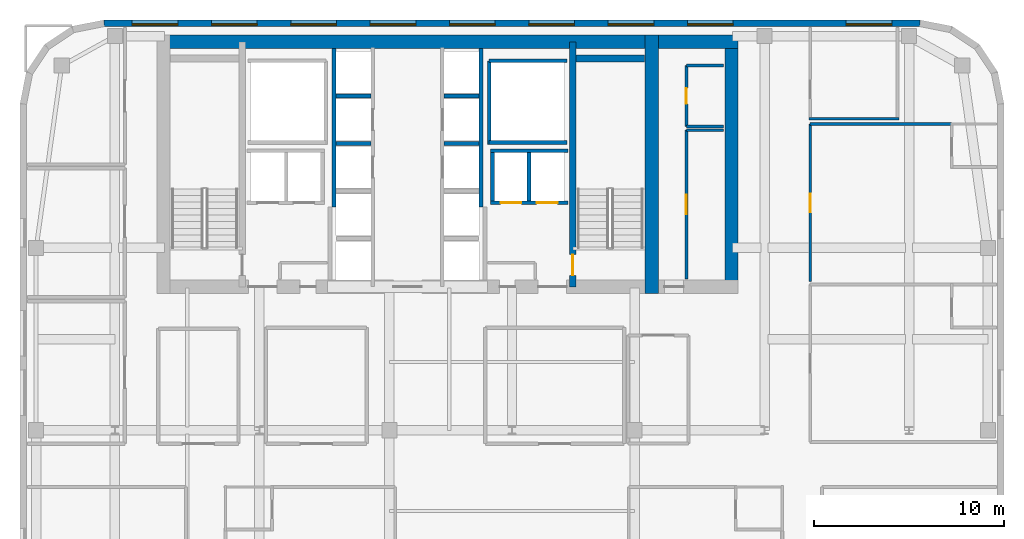
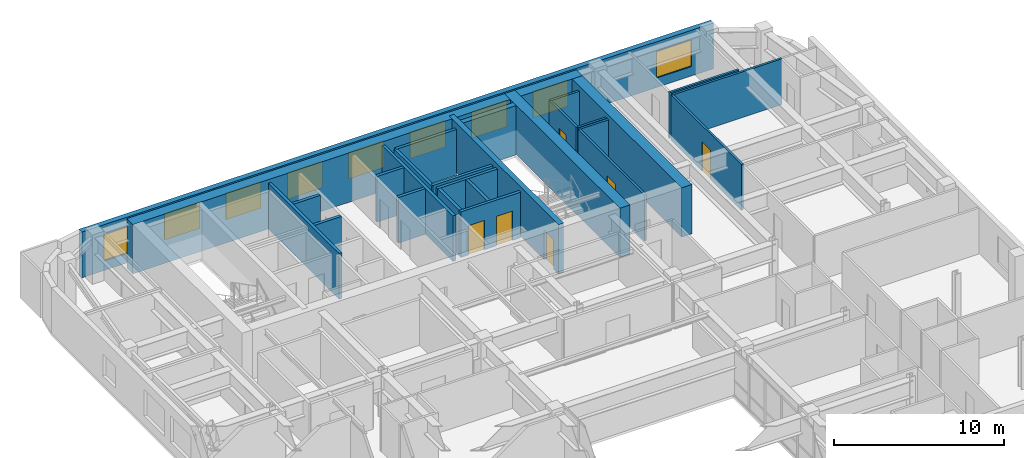
# One storey, part 11 of 13: 28 walls, 9 windows, 6 doors, 15 openings.
"""IFC4 building model written with IfcOpenShell, lengths in metres."""

from ifc_helpers import new_model, si_unit, direction, frame, frame_2d, origin, place, context, subcontext, project, spatial, rectangle, extrude, source, transform, mapped, material, layer, layer_set, type_object, type_shapes, element, fill, save


model = new_model("IFC4")

# Units and contexts
model_context = context("Model", 3, precision=1e-05, world=origin(), true_north=direction((0.0, 1.0)))
body_context = subcontext(model_context, "Body", "Model", "MODEL_VIEW")
ifc_project = project(units=[si_unit("LENGTHUNIT", "METRE"), si_unit("AREAUNIT", "SQUARE_METRE"), si_unit("VOLUMEUNIT", "CUBIC_METRE"), si_unit("PLANEANGLEUNIT", "RADIAN"), si_unit("MASSUNIT", "GRAM", prefix="KILO")], contexts=[model_context])

# Site, building, storey
site_placement = place(None, origin())
site = spatial("IfcSite", under=ifc_project, at=site_placement, CompositionType="ELEMENT")
building_placement = place(site_placement, origin())
building = spatial("IfcBuilding", under=site, at=building_placement, Name="Tolvann Quenvar Hotel", CompositionType="ELEMENT")
storey_placement = place(building_placement, frame((0.0, 0.0, 201.75)))
storey = spatial("IfcBuildingStorey", under=building, at=storey_placement, Name="L53", CompositionType="ELEMENT", Elevation=201.75)

# Walls
ifc_material_1 = material(Name="Concrete S65 (65 MPa)", Category="concrete")
ifc_layer_1 = layer(ifc_material_1, 0.699951171875)
ifc_layer_set_1 = layer_set([ifc_layer_1], Name="Concrete S65 (65 MPa)")
wall_type_1 = type_object("IfcWallType", Name="WALL_CORE_700", PredefinedType="SHEAR", material=ifc_layer_set_1)
wall_1_placement = place(storey_placement, frame((9.800048828125, 44.85009765625, 0.0), z_axis=(0.0, 0.0, 1.0), x_axis=(1.0, 0.0, 0.0)))
element("IfcWall", 1, at=wall_1_placement, inside=storey, type_object=wall_type_1, Name="Rear Core N Shear Wall (L53)", PredefinedType="SHEAR", context=body_context, shape_type="SweptSolid", body=[
    extrude(rectangle(XDim=26.39990234375, YDim=0.699951171875, at=frame_2d((13.199951171875, 0.0))), origin(), (0.0, 0.0, 1.0), 3.550048828125),
])
wall_2_placement = place(storey_placement, frame((35.85009765625, 31.60009765625, 0.0), z_axis=(0.0, 0.0, 1.0), x_axis=(0.0, 1.0, 0.0)))
element("IfcWall", 2, at=wall_2_placement, inside=storey, type_object=wall_type_1, Name="Rear Core E Shear Wall (L53)", PredefinedType="SHEAR", context=body_context, shape_type="SweptSolid", body=[
    extrude(rectangle(XDim=13.599853515625, YDim=0.699951171875, at=frame_2d((6.7998046875, 0.0))), origin(), (0.0, 0.0, 1.0), 3.550048828125),
])
wall_3_placement = place(storey_placement, frame((36.199951171875, 44.85009765625, 0.0), z_axis=(0.0, 0.0, 1.0), x_axis=(1.0, 0.0, 0.0)))
element("IfcWall", 3, at=wall_3_placement, inside=storey, type_object=wall_type_1, Name="Core East Annex Shear Wall ANN-N (L53)", PredefinedType="SHEAR", context=body_context, shape_type="SweptSolid", body=[
    extrude(rectangle(XDim=4.199951171875, YDim=0.699951171875, at=frame_2d((2.10009765625, 0.0))), origin(), (0.0, 0.0, 1.0), 3.550048828125),
])
wall_4_placement = place(storey_placement, frame((40.050048828125, 31.60009765625, 0.0), z_axis=(0.0, 0.0, 1.0), x_axis=(0.0, 1.0, 0.0)))
element("IfcWall", 4, at=wall_4_placement, inside=storey, type_object=wall_type_1, Name="Core East Annex Shear Wall ANN-E (L53)", PredefinedType="SHEAR", context=body_context, shape_type="SweptSolid", body=[
    extrude(rectangle(XDim=13.599853515625, YDim=0.699951171875, at=frame_2d((6.7998046875, 0.0))), origin(), (0.0, 0.0, 1.0), 3.550048828125),
])

# Wall, opening, door
ifc_layer_2 = layer(ifc_material_1, 0.35009765625)
ifc_layer_set_2 = layer_set([ifc_layer_2], Name="Concrete S65 (65 MPa)")
wall_type_2 = type_object("IfcWallType", Name="WALL_CORE_INT_350", PredefinedType="SHEAR", material=ifc_layer_set_2)
wall_5_placement = place(storey_placement, frame((31.699951171875, 31.949951171875, 0.0), z_axis=(0.0, 0.0, 1.0), x_axis=(0.0, 1.0, 0.0)))
wall_5 = element("IfcWall", 5, at=wall_5_placement, inside=storey, type_object=wall_type_2, Name="Core Internal Web Shear Wall WEB-E (L53)", PredefinedType="SHEAR", context=body_context, shape_type="SweptSolid", body=[
    extrude(rectangle(XDim=12.900146484375, YDim=0.35009765625, at=frame_2d((6.4501953125, 0.0))), origin(), (0.0, 0.0, 1.0), 3.550048828125),
])
opening_1_placement = place(wall_5_placement, frame((1.7001953125, 0.0, 0.0), z_axis=(0.0, 0.0, 1.0), x_axis=(-1.0, 0.0, 0.0)))
opening_1 = element("IfcOpeningElement", 6, at=opening_1_placement, cuts=wall_5, Name="Opening FD-120", PredefinedType="OPENING", context=body_context, shape_type="SweptSolid", body=[
    extrude(rectangle(XDim=1.10009765625, YDim=2.1201171875, at=frame_2d((0.550048828125, 1.06005859375))), frame((0.0, 0.18505859375, 0.0), z_axis=(0.0, -1.0, 0.0), x_axis=(1.0, 0.0, 0.0)), (0.0, 0.0, 1.0), 0.3701171875),
])
ifc_material_2 = material(Name="Pressed galvanised steel fire-rated door set", Category="steel")
door_type_1 = type_object("IfcDoorType", Name="DOOR_FIRE_STAIR_1100", OperationType="NOTDEFINED", PredefinedType="DOOR", material=ifc_material_2)
shared_shape_1 = source(origin(), body_context, "Body", "SweptSolid", [
    extrude(rectangle(XDim=1.10009765625, YDim=2.1201171875, at=frame_2d((0.550048828125, 1.06005859375))), frame((0.0, 0.02490234375, 0.0), z_axis=(0.0, -1.0, 0.0), x_axis=(1.0, 0.0, 0.0)), (0.0, 0.0, 1.0), 0.050048828125),
])
type_shapes(door_type_1, [shared_shape_1])
door_1_placement = place(opening_1_placement, origin())
door_1 = element("IfcDoor", 7, at=door_1_placement, inside=storey, type_object=door_type_1, Name="Exit Stair ST-C2 Fire Door (L53)", OperationType="SINGLE_SWING_LEFT", OverallHeight=2.1201171875, OverallWidth=1.10009765625, PredefinedType="DOOR", context=body_context, shape_type="MappedRepresentation", body=[
    mapped(shared_shape_1, transform((0.0, 0.0, 0.0), x_axis=(1.0, 0.0, 0.0), y_axis=(0.0, 1.0, 0.0), z_axis=(0.0, 0.0, 1.0), scale=1.0)),
])
fill(opening_1, door_1)

# Wall
wall_6_placement = place(storey_placement, frame((31.8798828125, 43.97509765625, 0.0), z_axis=(0.0, 0.0, 1.0), x_axis=(1.0, 0.0, 0.0)))
element("IfcWall", 8, at=wall_6_placement, inside=storey, type_object=wall_type_2, Name="Core Stair North Closing Shear Wall STC2-N (L53)", PredefinedType="SHEAR", context=body_context, shape_type="SweptSolid", body=[
    extrude(rectangle(XDim=3.60009765625, YDim=0.35009765625, at=frame_2d((1.800048828125, 0.0))), origin(), (0.0, 0.0, 1.0), 3.550048828125),
])

# Wall, openings, windows
ifc_material_3 = material(Name="Kiln-fired red and buff architectural clay brickwork and terracotta masonry", Category="masonry")
ifc_layer_3 = layer(ifc_material_3, 0.35009765625)
ifc_layer_set_3 = layer_set([ifc_layer_3], Name="Kiln-fired red and buff architectural clay brickwork and terracotta masonry")
wall_type_3 = type_object("IfcWallType", Name="WALL_EXT_BRICK_350", PredefinedType="SOLIDWALL", material=ifc_layer_set_3)
wall_7_placement = place(storey_placement, frame((49.98291015625, 45.824951171875, 0.0), z_axis=(0.0, 0.0, 1.0), x_axis=(-1.0, 0.0, 0.0)))
wall_7 = element("IfcWall", 9, at=wall_7_placement, inside=storey, type_object=wall_type_3, Name="Exterior Chicago Brick Wall L53-E18", PredefinedType="SOLIDWALL", context=body_context, shape_type="SweptSolid", body=[
    extrude(rectangle(XDim=42.9658203125, YDim=0.35009765625, at=frame_2d((21.48291015625, 0.0))), origin(), (0.0, 0.0, 1.0), 3.2900390625),
])
opening_2_placement = place(wall_7_placement, frame((1.488037109375, 0.0, 0.679931640625)))
opening_2 = element("IfcOpeningElement", 10, at=opening_2_placement, cuts=wall_7, Name="Opening W-01", PredefinedType="OPENING", context=body_context, shape_type="SweptSolid", body=[
    extrude(rectangle(XDim=2.39990234375, YDim=1.89990234375, at=frame_2d((1.199951171875, 0.949951171875))), frame((0.0, 0.18505859375, 0.0), z_axis=(0.0, -1.0, 0.0), x_axis=(1.0, 0.0, 0.0)), (0.0, 0.0, 1.0), 0.3701171875),
])
opening_3_placement = place(wall_7_placement, frame((9.841064453125, 0.0, 0.679931640625)))
opening_3 = element("IfcOpeningElement", 11, at=opening_3_placement, cuts=wall_7, Name="Opening W-01", PredefinedType="OPENING", context=body_context, shape_type="SweptSolid", body=[
    extrude(rectangle(XDim=2.39990234375, YDim=1.89990234375, at=frame_2d((1.199951171875, 0.949951171875))), frame((0.0, 0.18505859375, 0.0), z_axis=(0.0, -1.0, 0.0), x_axis=(1.0, 0.0, 0.0)), (0.0, 0.0, 1.0), 0.3701171875),
])
opening_4_placement = place(wall_7_placement, frame((14.01806640625, 0.0, 0.679931640625)))
opening_4 = element("IfcOpeningElement", 12, at=opening_4_placement, cuts=wall_7, Name="Opening W-01", PredefinedType="OPENING", context=body_context, shape_type="SweptSolid", body=[
    extrude(rectangle(XDim=2.39990234375, YDim=1.89990234375, at=frame_2d((1.199951171875, 0.949951171875))), frame((0.0, 0.18505859375, 0.0), z_axis=(0.0, -1.0, 0.0), x_axis=(1.0, 0.0, 0.0)), (0.0, 0.0, 1.0), 0.3701171875),
])
opening_5_placement = place(wall_7_placement, frame((18.195068359375, 0.0, 0.679931640625)))
opening_5 = element("IfcOpeningElement", 13, at=opening_5_placement, cuts=wall_7, Name="Opening W-01", PredefinedType="OPENING", context=body_context, shape_type="SweptSolid", body=[
    extrude(rectangle(XDim=2.39990234375, YDim=1.89990234375, at=frame_2d((1.199951171875, 0.949951171875))), frame((0.0, 0.18505859375, 0.0), z_axis=(0.0, -1.0, 0.0), x_axis=(1.0, 0.0, 0.0)), (0.0, 0.0, 1.0), 0.3701171875),
])
opening_6_placement = place(wall_7_placement, frame((22.37109375, 0.0, 0.679931640625)))
opening_6 = element("IfcOpeningElement", 14, at=opening_6_placement, cuts=wall_7, Name="Opening W-01", PredefinedType="OPENING", context=body_context, shape_type="SweptSolid", body=[
    extrude(rectangle(XDim=2.39990234375, YDim=1.89990234375, at=frame_2d((1.199951171875, 0.949951171875))), frame((0.0, 0.18505859375, 0.0), z_axis=(0.0, -1.0, 0.0), x_axis=(1.0, 0.0, 0.0)), (0.0, 0.0, 1.0), 0.3701171875),
])
opening_7_placement = place(wall_7_placement, frame((26.548095703125, 0.0, 0.679931640625)))
opening_7 = element("IfcOpeningElement", 15, at=opening_7_placement, cuts=wall_7, Name="Opening W-01", PredefinedType="OPENING", context=body_context, shape_type="SweptSolid", body=[
    extrude(rectangle(XDim=2.39990234375, YDim=1.89990234375, at=frame_2d((1.199951171875, 0.949951171875))), frame((0.0, 0.18505859375, 0.0), z_axis=(0.0, -1.0, 0.0), x_axis=(1.0, 0.0, 0.0)), (0.0, 0.0, 1.0), 0.3701171875),
])
opening_8_placement = place(wall_7_placement, frame((30.72412109375, 0.0, 0.679931640625)))
opening_8 = element("IfcOpeningElement", 16, at=opening_8_placement, cuts=wall_7, Name="Opening W-01", PredefinedType="OPENING", context=body_context, shape_type="SweptSolid", body=[
    extrude(rectangle(XDim=2.39990234375, YDim=1.89990234375, at=frame_2d((1.199951171875, 0.949951171875))), frame((0.0, 0.18505859375, 0.0), z_axis=(0.0, -1.0, 0.0), x_axis=(1.0, 0.0, 0.0)), (0.0, 0.0, 1.0), 0.3701171875),
])
opening_9_placement = place(wall_7_placement, frame((34.90087890625, 0.0, 0.679931640625)))
opening_9 = element("IfcOpeningElement", 17, at=opening_9_placement, cuts=wall_7, Name="Opening W-01", PredefinedType="OPENING", context=body_context, shape_type="SweptSolid", body=[
    extrude(rectangle(XDim=2.39990234375, YDim=1.89990234375, at=frame_2d((1.199951171875, 0.949951171875))), frame((0.0, 0.18505859375, 0.0), z_axis=(0.0, -1.0, 0.0), x_axis=(1.0, 0.0, 0.0)), (0.0, 0.0, 1.0), 0.3701171875),
])
opening_10_placement = place(wall_7_placement, frame((39.076904296875, 0.0, 0.679931640625)))
opening_10 = element("IfcOpeningElement", 18, at=opening_10_placement, cuts=wall_7, Name="Opening W-01", PredefinedType="OPENING", context=body_context, shape_type="SweptSolid", body=[
    extrude(rectangle(XDim=2.39990234375, YDim=1.89990234375, at=frame_2d((1.199951171875, 0.949951171875))), frame((0.0, 0.18505859375, 0.0), z_axis=(0.0, -1.0, 0.0), x_axis=(1.0, 0.0, 0.0)), (0.0, 0.0, 1.0), 0.3701171875),
])
ifc_material_4 = material(Name="Thermally broken bronze-anodised aluminium frame with double low-E glazing", Category="aluminium")
window_type = type_object("IfcWindowType", Name="WIN_CHI_2400x2050", PartitioningType="TRIPLE_PANEL_HORIZONTAL", PredefinedType="WINDOW", material=ifc_material_4)
shared_shape_2 = source(origin(), body_context, "Body", "SweptSolid", [
    extrude(rectangle(XDim=2.39990234375, YDim=1.89990234375, at=frame_2d((1.199951171875, 0.949951171875))), frame((0.0, 0.090087890625, 0.0), z_axis=(0.0, -1.0, 0.0), x_axis=(1.0, 0.0, 0.0)), (0.0, 0.0, 1.0), 0.06005859375),
])
type_shapes(window_type, [shared_shape_2])
window_1_placement = place(opening_2_placement, origin())
window_1 = element("IfcWindow", 19, at=window_1_placement, inside=storey, type_object=window_type, Name="Chicago Window W-01 (EW-L53-E18-W01)", OverallHeight=1.89990234375, OverallWidth=2.39990234375, PartitioningType="TRIPLE_PANEL_HORIZONTAL", PredefinedType="WINDOW", context=body_context, shape_type="MappedRepresentation", body=[
    mapped(shared_shape_2, transform((0.0, 0.0, 0.0), x_axis=(1.0, 0.0, 0.0), y_axis=(0.0, 1.0, 0.0), z_axis=(0.0, 0.0, 1.0), scale=1.0)),
])
fill(opening_2, window_1)
window_2_placement = place(opening_3_placement, origin())
window_2 = element("IfcWindow", 20, at=window_2_placement, inside=storey, type_object=window_type, Name="Chicago Window W-01 (EW-L53-E18-W02)", OverallHeight=1.89990234375, OverallWidth=2.39990234375, PartitioningType="TRIPLE_PANEL_HORIZONTAL", PredefinedType="WINDOW", context=body_context, shape_type="MappedRepresentation", body=[
    mapped(shared_shape_2, transform((0.0, 0.0, 0.0), x_axis=(1.0, 0.0, 0.0), y_axis=(0.0, 1.0, 0.0), z_axis=(0.0, 0.0, 1.0), scale=1.0)),
])
fill(opening_3, window_2)
window_3_placement = place(opening_4_placement, origin())
window_3 = element("IfcWindow", 21, at=window_3_placement, inside=storey, type_object=window_type, Name="Chicago Window W-01 (EW-L53-E18-W03)", OverallHeight=1.89990234375, OverallWidth=2.39990234375, PartitioningType="TRIPLE_PANEL_HORIZONTAL", PredefinedType="WINDOW", context=body_context, shape_type="MappedRepresentation", body=[
    mapped(shared_shape_2, transform((0.0, 0.0, 0.0), x_axis=(1.0, 0.0, 0.0), y_axis=(0.0, 1.0, 0.0), z_axis=(0.0, 0.0, 1.0), scale=1.0)),
])
fill(opening_4, window_3)
window_4_placement = place(opening_5_placement, origin())
window_4 = element("IfcWindow", 22, at=window_4_placement, inside=storey, type_object=window_type, Name="Chicago Window W-01 (EW-L53-E18-W04)", OverallHeight=1.89990234375, OverallWidth=2.39990234375, PartitioningType="TRIPLE_PANEL_HORIZONTAL", PredefinedType="WINDOW", context=body_context, shape_type="MappedRepresentation", body=[
    mapped(shared_shape_2, transform((0.0, 0.0, 0.0), x_axis=(1.0, 0.0, 0.0), y_axis=(0.0, 1.0, 0.0), z_axis=(0.0, 0.0, 1.0), scale=1.0)),
])
fill(opening_5, window_4)
window_5_placement = place(opening_6_placement, origin())
window_5 = element("IfcWindow", 23, at=window_5_placement, inside=storey, type_object=window_type, Name="Chicago Window W-01 (EW-L53-E18-W05)", OverallHeight=1.89990234375, OverallWidth=2.39990234375, PartitioningType="TRIPLE_PANEL_HORIZONTAL", PredefinedType="WINDOW", context=body_context, shape_type="MappedRepresentation", body=[
    mapped(shared_shape_2, transform((0.0, 0.0, 0.0), x_axis=(1.0, 0.0, 0.0), y_axis=(0.0, 1.0, 0.0), z_axis=(0.0, 0.0, 1.0), scale=1.0)),
])
fill(opening_6, window_5)
window_6_placement = place(opening_7_placement, origin())
window_6 = element("IfcWindow", 24, at=window_6_placement, inside=storey, type_object=window_type, Name="Chicago Window W-01 (EW-L53-E18-W06)", OverallHeight=1.89990234375, OverallWidth=2.39990234375, PartitioningType="TRIPLE_PANEL_HORIZONTAL", PredefinedType="WINDOW", context=body_context, shape_type="MappedRepresentation", body=[
    mapped(shared_shape_2, transform((0.0, 0.0, 0.0), x_axis=(1.0, 0.0, 0.0), y_axis=(0.0, 1.0, 0.0), z_axis=(0.0, 0.0, 1.0), scale=1.0)),
])
fill(opening_7, window_6)
window_7_placement = place(opening_8_placement, origin())
window_7 = element("IfcWindow", 25, at=window_7_placement, inside=storey, type_object=window_type, Name="Chicago Window W-01 (EW-L53-E18-W07)", OverallHeight=1.89990234375, OverallWidth=2.39990234375, PartitioningType="TRIPLE_PANEL_HORIZONTAL", PredefinedType="WINDOW", context=body_context, shape_type="MappedRepresentation", body=[
    mapped(shared_shape_2, transform((0.0, 0.0, 0.0), x_axis=(1.0, 0.0, 0.0), y_axis=(0.0, 1.0, 0.0), z_axis=(0.0, 0.0, 1.0), scale=1.0)),
])
fill(opening_8, window_7)
window_8_placement = place(opening_9_placement, origin())
window_8 = element("IfcWindow", 26, at=window_8_placement, inside=storey, type_object=window_type, Name="Chicago Window W-01 (EW-L53-E18-W08)", OverallHeight=1.89990234375, OverallWidth=2.39990234375, PartitioningType="TRIPLE_PANEL_HORIZONTAL", PredefinedType="WINDOW", context=body_context, shape_type="MappedRepresentation", body=[
    mapped(shared_shape_2, transform((0.0, 0.0, 0.0), x_axis=(1.0, 0.0, 0.0), y_axis=(0.0, 1.0, 0.0), z_axis=(0.0, 0.0, 1.0), scale=1.0)),
])
fill(opening_9, window_8)
window_9_placement = place(opening_10_placement, origin())
window_9 = element("IfcWindow", 27, at=window_9_placement, inside=storey, type_object=window_type, Name="Chicago Window W-01 (EW-L53-E18-W09)", OverallHeight=1.89990234375, OverallWidth=2.39990234375, PartitioningType="TRIPLE_PANEL_HORIZONTAL", PredefinedType="WINDOW", context=body_context, shape_type="MappedRepresentation", body=[
    mapped(shared_shape_2, transform((0.0, 0.0, 0.0), x_axis=(1.0, 0.0, 0.0), y_axis=(0.0, 1.0, 0.0), z_axis=(0.0, 0.0, 1.0), scale=1.0)),
])
fill(opening_10, window_9)

# Wall
ifc_material_5 = material(Name="Acoustic twin-stud fire-rated gypsum plasterboard partition")
ifc_layer_4 = layer(ifc_material_5, 0.14990234375)
ifc_layer_set_4 = layer_set([ifc_layer_4], Name="Acoustic twin-stud fire-rated gypsum plasterboard partition")
wall_type_4 = type_object("IfcWallType", Name="WALL_PART_SUITE_150", PredefinedType="PARTITIONING", material=ifc_layer_set_4)
wall_8_placement = place(storey_placement, frame((37.679931640625, 40.199951171875, 0.0), z_axis=(0.0, 0.0, 1.0), x_axis=(1.0, 0.0, 0.0)))
element("IfcWall", 28, at=wall_8_placement, inside=storey, type_object=wall_type_4, Name="Interior Partition PT-SPC-L53-RECPL-1-N", PredefinedType="PARTITIONING", context=body_context, shape_type="SweptSolid", body=[
    extrude(rectangle(XDim=1.965087890625, YDim=0.14990234375, at=frame_2d((0.982421875, 0.0))), origin(), (0.0, 0.0, 1.0), 3.2900390625),
])

# Wall, opening, door
wall_9_placement = place(storey_placement, frame((37.679931640625, 32.35498046875, 0.0), z_axis=(0.0, 0.0, 1.0), x_axis=(0.0, 1.0, 0.0)))
wall_9 = element("IfcWall", 29, at=wall_9_placement, inside=storey, type_object=wall_type_4, Name="Interior Partition PT-SPC-L53-RECPL-1-W", PredefinedType="PARTITIONING", context=body_context, shape_type="SweptSolid", body=[
    extrude(rectangle(XDim=7.844970703125, YDim=0.14990234375, at=frame_2d((3.92236328125, 0.0))), origin(), (0.0, 0.0, 1.0), 3.2900390625),
])
opening_11_placement = place(wall_9_placement, frame((3.41259765625, 0.0, 0.0)))
opening_11 = element("IfcOpeningElement", 30, at=opening_11_placement, cuts=wall_9, Name="Opening HD-01", PredefinedType="OPENING", context=body_context, shape_type="SweptSolid", body=[
    extrude(rectangle(XDim=1.02001953125, YDim=2.030029296875, at=frame_2d((0.510009765625, 1.01513671875))), frame((0.0, 0.0849609375, 0.0), z_axis=(0.0, -1.0, 0.0), x_axis=(1.0, 0.0, 0.0)), (0.0, 0.0, 1.0), 0.169921875),
])
door_type_2 = type_object("IfcDoorType", Name="DOOR_BOH_1020", OperationType="NOTDEFINED", PredefinedType="DOOR", material=ifc_material_2)
shared_shape_3 = source(origin(), body_context, "Body", "SweptSolid", [
    extrude(rectangle(XDim=1.02001953125, YDim=2.030029296875, at=frame_2d((0.510009765625, 1.01513671875))), frame((0.0, 0.02490234375, 0.0), z_axis=(0.0, -1.0, 0.0), x_axis=(1.0, 0.0, 0.0)), (0.0, 0.0, 1.0), 0.050048828125),
])
type_shapes(door_type_2, [shared_shape_3])
door_2_placement = place(opening_11_placement, origin())
door_2 = element("IfcDoor", 31, at=door_2_placement, inside=storey, type_object=door_type_2, Name="Interior Door DOOR-SPC-L53-RECPL-1", OperationType="SINGLE_SWING_LEFT", OverallHeight=2.030029296875, OverallWidth=1.02001953125, PredefinedType="DOOR", context=body_context, shape_type="MappedRepresentation", body=[
    mapped(shared_shape_3, transform((0.0, 0.0, 0.0), x_axis=(1.0, 0.0, 0.0), y_axis=(0.0, 1.0, 0.0), z_axis=(0.0, 0.0, 1.0), scale=1.0)),
])
fill(opening_11, door_2)

# Walls
for number, where, z_axis, x_axis, name in (
    (32, (37.679931640625, 40.39990234375, 0.0), (0.0, 0.0, 1.0), (1.0, 0.0, 0.0), "Interior Partition PT-SPC-L53-CSE-1-S"),
    (33, (37.679931640625, 43.60009765625, 0.0), (0.0, 0.0, 1.0), (1.0, 0.0, 0.0), "Interior Partition PT-SPC-L53-CSE-1-N"),
):
    element("IfcWall", number, at=place(storey_placement, frame(where, z_axis=z_axis, x_axis=x_axis)), inside=storey, type_object=wall_type_4, Name=name, PredefinedType="PARTITIONING", context=body_context, shape_type="SweptSolid", body=[
        extrude(rectangle(XDim=1.965087890625, YDim=0.14990234375, at=frame_2d((0.982421875, 0.0))), origin(), (0.0, 0.0, 1.0), 3.2900390625),
    ])

# Wall, opening, door
wall_10_placement = place(storey_placement, frame((37.679931640625, 40.39990234375, 0.0), z_axis=(0.0, 0.0, 1.0), x_axis=(0.0, 1.0, 0.0)))
wall_10 = element("IfcWall", 34, at=wall_10_placement, inside=storey, type_object=wall_type_4, Name="Interior Partition PT-SPC-L53-CSE-1-W", PredefinedType="PARTITIONING", context=body_context, shape_type="SweptSolid", body=[
    extrude(rectangle(XDim=3.2001953125, YDim=0.14990234375, at=frame_2d((1.60009765625, 0.0))), origin(), (0.0, 0.0, 1.0), 3.2900390625),
])
opening_12_placement = place(wall_10_placement, frame((1.18994140625, 0.0, 0.0)))
opening_12 = element("IfcOpeningElement", 35, at=opening_12_placement, cuts=wall_10, Name="Opening HD-02", PredefinedType="OPENING", context=body_context, shape_type="SweptSolid", body=[
    extrude(rectangle(XDim=0.820068359375, YDim=2.010009765625, at=frame_2d((0.41015625, 1.0048828125))), frame((0.0, 0.0849609375, 0.0), z_axis=(0.0, -1.0, 0.0), x_axis=(1.0, 0.0, 0.0)), (0.0, 0.0, 1.0), 0.169921875),
])
door_type_3 = type_object("IfcDoorType", Name="DOOR_STORE_820", OperationType="NOTDEFINED", PredefinedType="DOOR", material=ifc_material_2)
shared_shape_4 = source(origin(), body_context, "Body", "SweptSolid", [
    extrude(rectangle(XDim=0.820068359375, YDim=2.010009765625, at=frame_2d((0.41015625, 1.0048828125))), frame((0.0, 0.02490234375, 0.0), z_axis=(0.0, -1.0, 0.0), x_axis=(1.0, 0.0, 0.0)), (0.0, 0.0, 1.0), 0.050048828125),
])
type_shapes(door_type_3, [shared_shape_4])
door_3_placement = place(opening_12_placement, origin())
door_3 = element("IfcDoor", 36, at=door_3_placement, inside=storey, type_object=door_type_3, Name="Interior Door DOOR-SPC-L53-CSE-1", OperationType="SINGLE_SWING_RIGHT", OverallHeight=2.010009765625, OverallWidth=0.820068359375, PredefinedType="DOOR", context=body_context, shape_type="MappedRepresentation", body=[
    mapped(shared_shape_4, transform((0.0, 0.0, 0.0), x_axis=(1.0, 0.0, 0.0), y_axis=(0.0, 1.0, 0.0), z_axis=(0.0, 0.0, 1.0), scale=1.0)),
])
fill(opening_12, door_3)

wall_11_placement = place(storey_placement, frame((44.199951171875, 32.22998046875, 0.0), z_axis=(0.0, 0.0, 1.0), x_axis=(0.0, 1.0, 0.0)))
wall_11 = element("IfcWall", 37, at=wall_11_placement, inside=storey, type_object=wall_type_4, Name="Interior Partition PT-SPC-L53-RM-NE02-ENT", PredefinedType="PARTITIONING", context=body_context, shape_type="SweptSolid", body=[
    extrude(rectangle(XDim=8.2900390625, YDim=0.14990234375, at=frame_2d((4.14501953125, 0.0))), origin(), (0.0, 0.0, 1.0), 3.2900390625),
])
opening_13_placement = place(wall_11_placement, frame((3.655029296875, 0.0, 0.0)))
opening_13 = element("IfcOpeningElement", 38, at=opening_13_placement, cuts=wall_11, Name="Opening SD-01", PredefinedType="OPENING", context=body_context, shape_type="SweptSolid", body=[
    extrude(rectangle(XDim=0.97998046875, YDim=2.1201171875, at=frame_2d((0.489990234375, 1.06005859375))), frame((0.0, 0.0849609375, 0.0), z_axis=(0.0, -1.0, 0.0), x_axis=(1.0, 0.0, 0.0)), (0.0, 0.0, 1.0), 0.169921875),
])
ifc_material_6 = material(Name="Solid-core American oak acoustic fire door leaf in steel frame", Category="steel")
door_type_4 = type_object("IfcDoorType", Name="DOOR_SUITE_980", OperationType="NOTDEFINED", PredefinedType="DOOR", material=ifc_material_6)
shared_shape_5 = source(origin(), body_context, "Body", "SweptSolid", [
    extrude(rectangle(XDim=0.97998046875, YDim=2.1201171875, at=frame_2d((0.489990234375, 1.06005859375))), frame((0.0, 0.02490234375, 0.0), z_axis=(0.0, -1.0, 0.0), x_axis=(1.0, 0.0, 0.0)), (0.0, 0.0, 1.0), 0.050048828125),
])
type_shapes(door_type_4, [shared_shape_5])
door_4_placement = place(opening_13_placement, origin())
door_4 = element("IfcDoor", 39, at=door_4_placement, inside=storey, type_object=door_type_4, Name="Interior Door DOOR-SPC-L53-RM-NE02", OperationType="SINGLE_SWING_RIGHT", OverallHeight=2.1201171875, OverallWidth=0.97998046875, PredefinedType="DOOR", context=body_context, shape_type="MappedRepresentation", body=[
    mapped(shared_shape_5, transform((0.0, 0.0, 0.0), x_axis=(1.0, 0.0, 0.0), y_axis=(0.0, 1.0, 0.0), z_axis=(0.0, 0.0, 1.0), scale=1.0)),
])
fill(opening_13, door_4)

# Walls
wall_12_placement = place(storey_placement, frame((44.199951171875, 40.52001953125, 0.0), z_axis=(0.0, 0.0, 1.0), x_axis=(1.0, 0.0, 0.0)))
element("IfcWall", 40, at=wall_12_placement, inside=storey, type_object=wall_type_4, Name="Interior Partition PT-SPC-L53-RM-NE02-E5", PredefinedType="PARTITIONING", context=body_context, shape_type="SweptSolid", body=[
    extrude(rectangle(XDim=7.429931640625, YDim=0.14990234375, at=frame_2d((3.71484375, 0.0))), origin(), (0.0, 0.0, 1.0), 3.2900390625),
])
wall_13_placement = place(storey_placement, frame((44.1298828125, 40.800048828125, 0.0), z_axis=(0.0, 0.0, 1.0), x_axis=(1.0, 0.0, 0.0)))
element("IfcWall", 41, at=wall_13_placement, inside=storey, type_object=wall_type_4, Name="Interior Partition PT-SPC-L53-WCA-S", PredefinedType="PARTITIONING", context=body_context, shape_type="SweptSolid", body=[
    extrude(rectangle(XDim=4.740234375, YDim=0.14990234375, at=frame_2d((2.3701171875, 0.0))), origin(), (0.0, 0.0, 1.0), 3.2900390625),
])
ifc_material_7 = material(Name="Concrete N40 (40 MPa)", Category="concrete")
ifc_layer_5 = layer(ifc_material_7, 0.199951171875)
ifc_layer_set_5 = layer_set([ifc_layer_5], Name="Concrete N40 (40 MPa)")
wall_type_5 = type_object("IfcWallType", Name="WALL_SHAFT_200", PredefinedType="SOLIDWALL", material=ifc_layer_set_5)
wall_14_placement = place(storey_placement, frame((27.300048828125, 39.449951171875, 0.0), z_axis=(0.0, 0.0, 1.0), x_axis=(0.0, 1.0, 0.0)))
element("IfcWall", 42, at=wall_14_placement, inside=storey, type_object=wall_type_5, Name="Service Riser E Shaft Wall IN (L53)", PredefinedType="SOLIDWALL", context=body_context, shape_type="SweptSolid", body=[
    extrude(rectangle(XDim=4.400146484375, YDim=0.199951171875, at=frame_2d((2.2001953125, 0.0))), origin(), (0.0, 0.0, 1.0), 3.2900390625),
])
for number, where, z_axis, x_axis, name in (
    (43, (27.300048828125, 39.550048828125, 0.0), (0.0, 0.0, 1.0), (1.0, 0.0, 0.0), "Service Riser E Shaft Wall S (L53)"),
    (44, (27.300048828125, 43.85009765625, 0.0), (0.0, 0.0, 1.0), (1.0, 0.0, 0.0), "Service Riser E Shaft Wall N (L53)"),
):
    element("IfcWall", number, at=place(storey_placement, frame(where, z_axis=z_axis, x_axis=x_axis)), inside=storey, type_object=wall_type_5, Name=name, PredefinedType="SOLIDWALL", context=body_context, shape_type="SweptSolid", body=[
        extrude(rectangle(XDim=4.099853515625, YDim=0.199951171875, at=frame_2d((2.0498046875, 0.0))), origin(), (0.0, 0.0, 1.0), 3.2900390625),
    ])
wall_15_placement = place(storey_placement, frame((19.1298828125, 36.159912109375, 0.0), z_axis=(0.0, 0.0, 1.0), x_axis=(0.0, 1.0, 0.0)))
element("IfcWall", 45, at=wall_15_placement, inside=storey, type_object=wall_type_5, Name="Lift Bank E21.1C1 Hoistway Rear Wall (L53)", PredefinedType="SOLIDWALL", context=body_context, shape_type="SweptSolid", body=[
    extrude(rectangle(XDim=8.336181640625, YDim=0.199951171875, at=frame_2d((4.16796875, 0.0))), origin(), (0.0, 0.0, 1.0), 3.2900390625),
])
for number, where, z_axis, x_axis, name in (
    (46, (19.22998046875, 39.5, 0.0), (0.0, 0.0, 1.0), (1.0, 0.0, 0.0), "Lift Bank E21.1C1 Divider Wall 3 (L53)"),
    (47, (19.22998046875, 42.0, 0.0), (0.0, 0.0, 1.0), (1.0, 0.0, 0.0), "Lift Bank E21.1C1 Divider Wall 4 (L53)"),
):
    element("IfcWall", number, at=place(storey_placement, frame(where, z_axis=z_axis, x_axis=x_axis)), inside=storey, type_object=wall_type_5, Name=name, PredefinedType="SOLIDWALL", context=body_context, shape_type="SweptSolid", body=[
        extrude(rectangle(XDim=1.840087890625, YDim=0.199951171875, at=frame_2d((0.919921875, 0.0))), origin(), (0.0, 0.0, 1.0), 3.2900390625),
    ])

# Wall, openings, doors
wall_16_placement = place(storey_placement, frame((27.375, 36.3798828125, 0.0), z_axis=(0.0, 0.0, 1.0), x_axis=(1.0, 0.0, 0.0)))
wall_16 = element("IfcWall", 48, at=wall_16_placement, inside=storey, type_object=wall_type_5, Name="Lift Bank SEC1 Hoistway Front Wall (L53)", PredefinedType="SOLIDWALL", context=body_context, shape_type="SweptSolid", body=[
    extrude(rectangle(XDim=4.074951171875, YDim=0.199951171875, at=frame_2d((2.03759765625, 0.0))), origin(), (0.0, 0.0, 1.0), 3.2900390625),
])
opening_14_placement = place(wall_16_placement, frame((0.52490234375, 0.0, 0.0)))
opening_14 = element("IfcOpeningElement", 49, at=opening_14_placement, cuts=wall_16, Name="Opening LD-01", PredefinedType="OPENING", context=body_context, shape_type="SweptSolid", body=[
    extrude(rectangle(XDim=1.10009765625, YDim=2.1201171875, at=frame_2d((0.550048828125, 1.06005859375))), frame((0.0, 0.10986328125, 0.0), z_axis=(0.0, -1.0, 0.0), x_axis=(1.0, 0.0, 0.0)), (0.0, 0.0, 1.0), 0.219970703125),
])
opening_15_placement = place(wall_16_placement, frame((2.425048828125, 0.0, 0.0)))
opening_15 = element("IfcOpeningElement", 50, at=opening_15_placement, cuts=wall_16, Name="Opening LD-01", PredefinedType="OPENING", context=body_context, shape_type="SweptSolid", body=[
    extrude(rectangle(XDim=1.10009765625, YDim=2.1201171875, at=frame_2d((0.550048828125, 1.06005859375))), frame((0.0, 0.10986328125, 0.0), z_axis=(0.0, -1.0, 0.0), x_axis=(1.0, 0.0, 0.0)), (0.0, 0.0, 1.0), 0.219970703125),
])
ifc_material_8 = material(Name="Brushed 316 stainless steel automatic sliding lift landing door", Category="steel")
door_type_5 = type_object("IfcDoorType", Name="DOOR_LIFT_SLIDE_1100", OperationType="NOTDEFINED", PredefinedType="DOOR", material=ifc_material_8)
shared_shape_6 = source(origin(), body_context, "Body", "SweptSolid", [
    extrude(rectangle(XDim=1.10009765625, YDim=2.1201171875, at=frame_2d((0.550048828125, 1.06005859375))), frame((0.0, 0.02490234375, 0.0), z_axis=(0.0, -1.0, 0.0), x_axis=(1.0, 0.0, 0.0)), (0.0, 0.0, 1.0), 0.050048828125),
])
type_shapes(door_type_5, [shared_shape_6])
door_5_placement = place(opening_14_placement, origin())
door_5 = element("IfcDoor", 51, at=door_5_placement, inside=storey, type_object=door_type_5, Name="Lift SV-2 Sliding Landing Door (L53)", OperationType="SLIDING_TO_LEFT", OverallHeight=2.1201171875, OverallWidth=1.10009765625, PredefinedType="DOOR", context=body_context, shape_type="MappedRepresentation", body=[
    mapped(shared_shape_6, transform((0.0, 0.0, 0.0), x_axis=(1.0, 0.0, 0.0), y_axis=(0.0, 1.0, 0.0), z_axis=(0.0, 0.0, 1.0), scale=1.0)),
])
fill(opening_14, door_5)
door_6_placement = place(opening_15_placement, origin())
door_6 = element("IfcDoor", 52, at=door_6_placement, inside=storey, type_object=door_type_5, Name="Lift FF-2 Sliding Landing Door (L53)", OperationType="SLIDING_TO_RIGHT", OverallHeight=2.1201171875, OverallWidth=1.10009765625, PredefinedType="DOOR", context=body_context, shape_type="MappedRepresentation", body=[
    mapped(shared_shape_6, transform((0.0, 0.0, 0.0), x_axis=(1.0, 0.0, 0.0), y_axis=(0.0, 1.0, 0.0), z_axis=(0.0, 0.0, 1.0), scale=1.0)),
])
fill(opening_15, door_6)

# Walls
wall_17_placement = place(storey_placement, frame((27.375, 39.1201171875, 0.0), z_axis=(0.0, 0.0, 1.0), x_axis=(1.0, 0.0, 0.0)))
element("IfcWall", 53, at=wall_17_placement, inside=storey, type_object=wall_type_5, Name="Lift Bank SEC1 Hoistway Rear Wall (L53)", PredefinedType="SOLIDWALL", context=body_context, shape_type="SweptSolid", body=[
    extrude(rectangle(XDim=4.074951171875, YDim=0.199951171875, at=frame_2d((2.03759765625, 0.0))), origin(), (0.0, 0.0, 1.0), 3.2900390625),
])
for number, where, z_axis, x_axis, name in (
    (54, (27.47509765625, 36.47998046875, 0.0), (0.0, 0.0, 1.0), (0.0, 1.0, 0.0), "Lift Bank SEC1 Hoistway Cheek Wall 1 (L53)"),
    (55, (29.387451171875, 36.47998046875, 0.0), (0.0, 0.0, 1.0), (0.0, 1.0, 0.0), "Lift Bank SEC1 Divider Wall 1 (L53)"),
):
    element("IfcWall", number, at=place(storey_placement, frame(where, z_axis=z_axis, x_axis=x_axis)), inside=storey, type_object=wall_type_5, Name=name, PredefinedType="SOLIDWALL", context=body_context, shape_type="SweptSolid", body=[
        extrude(rectangle(XDim=2.5400390625, YDim=0.199951171875, at=frame_2d((1.27001953125, 0.0))), origin(), (0.0, 0.0, 1.0), 3.2900390625),
    ])
wall_18_placement = place(storey_placement, frame((26.8701171875, 36.159912109375, 0.0), z_axis=(0.0, 0.0, 1.0), x_axis=(0.0, 1.0, 0.0)))
element("IfcWall", 56, at=wall_18_placement, inside=storey, type_object=wall_type_5, Name="Lift Bank W24.9C1 Hoistway Rear Wall (L53)", PredefinedType="SOLIDWALL", context=body_context, shape_type="SweptSolid", body=[
    extrude(rectangle(XDim=8.336181640625, YDim=0.199951171875, at=frame_2d((4.16796875, 0.0))), origin(), (0.0, 0.0, 1.0), 3.2900390625),
])
for number, where, z_axis, x_axis, name in (
    (57, (24.929931640625, 39.5, 0.0), (0.0, 0.0, 1.0), (1.0, 0.0, 0.0), "Lift Bank W24.9C1 Divider Wall 3 (L53)"),
    (58, (24.929931640625, 42.0, 0.0), (0.0, 0.0, 1.0), (1.0, 0.0, 0.0), "Lift Bank W24.9C1 Divider Wall 4 (L53)"),
):
    element("IfcWall", number, at=place(storey_placement, frame(where, z_axis=z_axis, x_axis=x_axis)), inside=storey, type_object=wall_type_5, Name=name, PredefinedType="SOLIDWALL", context=body_context, shape_type="SweptSolid", body=[
        extrude(rectangle(XDim=1.840087890625, YDim=0.199951171875, at=frame_2d((0.919921875, 0.0))), origin(), (0.0, 0.0, 1.0), 3.2900390625),
    ])

save(model, "model.ifc")
